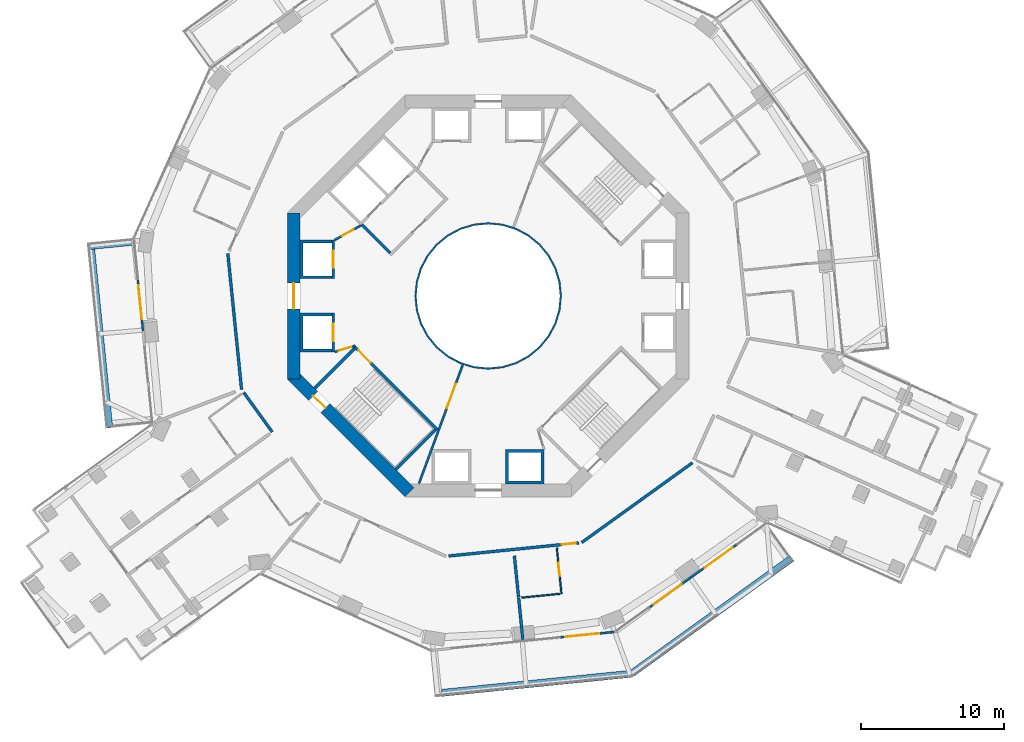
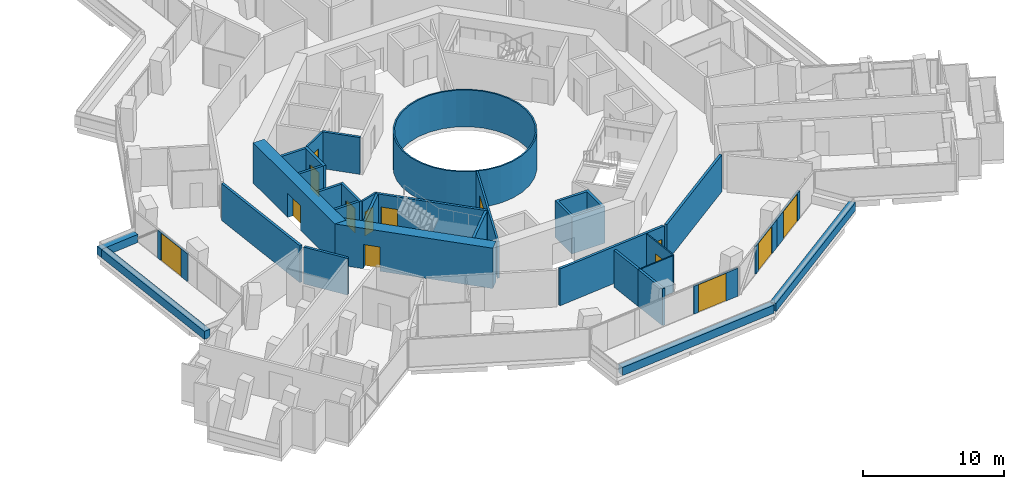
# One storey, part 19 of 26: 31 walls, 14 doors, 14 openings.
"""IFC4 building model written with IfcOpenShell, lengths in metres."""

from ifc_helpers import new_model, si_unit, direction, frame, frame_2d, origin, place, context, subcontext, project, spatial, polyline, rectangle, outline, extrude, material, layer, layer_set, type_object, element, fill, save


model = new_model("IFC4")

# Units and contexts
model_context = context("Model", 3, precision=1e-05, world=origin(), true_north=direction((0.0, 1.0)))
body_context = subcontext(model_context, "Body", "Model", "MODEL_VIEW")
ifc_project = project(units=[si_unit("LENGTHUNIT", "METRE"), si_unit("AREAUNIT", "SQUARE_METRE"), si_unit("VOLUMEUNIT", "CUBIC_METRE"), si_unit("PLANEANGLEUNIT", "RADIAN"), si_unit("MASSUNIT", "GRAM", prefix="KILO")], contexts=[model_context])

# Site, building, storey
site_placement = place(None, origin())
site = spatial("IfcSite", under=ifc_project, at=site_placement, CompositionType="ELEMENT")
building_placement = place(site_placement, origin())
building = spatial("IfcBuilding", under=site, at=building_placement, Name="Verdalira Terraces Hotel", CompositionType="ELEMENT")
storey_placement = place(building_placement, frame((0.0, 0.0, 56.5)))
storey = spatial("IfcBuildingStorey", under=building, at=storey_placement, Name="L12", CompositionType="ELEMENT", Elevation=56.5)

# Walls
ifc_material_1 = material(Name="Fire-resisting glass EI 180", Category="glass")
ifc_layer_1 = layer(ifc_material_1, 0.1201171875)
ifc_layer_set_1 = layer_set([ifc_layer_1], Name="Atrium fire screen 120 mm")
wall_type_1 = type_object("IfcWallType", Name="Atrium fire screen 120 mm", PredefinedType="SOLIDWALL", material=ifc_layer_set_1)
wall_1_placement = place(storey_placement, origin())
element("IfcWall", 1, at=wall_1_placement, inside=storey, type_object=wall_type_1, Name="Atrium fire screen", PredefinedType="SOLIDWALL", context=body_context, shape_type="SweptSolid", body=[
    extrude(outline(polyline([(5.021484, -0.998779), (4.730225, -1.959229), (4.25708, -2.844482), (3.620361, -3.620361), (2.844482, -4.25708), (1.959229, -4.730225), (0.998779, -5.021484), (0.0, -5.120117), (-0.998779, -5.021484), (-1.959229, -4.730225), (-2.844482, -4.25708), (-3.620361, -3.620361), (-4.25708, -2.844482), (-4.730225, -1.959229), (-5.021484, -0.998779), (-5.120117, 0.0), (-5.021484, 0.998779), (-4.730225, 1.959229), (-4.25708, 2.844482), (-3.620361, 3.620361), (-2.844482, 4.25708), (-1.959229, 4.730225), (-0.998779, 5.021484), (0.0, 5.120117), (0.998779, 5.021484), (1.959229, 4.730225), (2.844482, 4.25708), (3.620361, 3.620361), (4.25708, 2.844482), (4.730225, 1.959229), (5.021484, 0.998779), (5.120117, 0.0), (5.021484, -0.998779)]), holes=[polyline([(4.903809, 0.975586), (4.619385, 1.91333), (4.157227, 2.777832), (3.5354, 3.5354), (2.777832, 4.157227), (1.91333, 4.619385), (0.975586, 4.903809), (0.0, 5.0), (-0.975586, 4.903809), (-1.91333, 4.619385), (-2.777832, 4.157227), (-3.5354, 3.5354), (-4.157227, 2.777832), (-4.619385, 1.91333), (-4.903809, 0.975586), (-5.0, 0.0), (-4.903809, -0.975586), (-4.619385, -1.91333), (-4.157227, -2.777832), (-3.5354, -3.5354), (-2.777832, -4.157227), (-1.91333, -4.619385), (-0.975586, -4.903809), (0.0, -5.0), (0.975586, -4.903809), (1.91333, -4.619385), (2.777832, -4.157227), (3.5354, -3.5354), (4.157227, -2.777832), (4.619385, -1.91333), (4.903809, -0.975586), (5.0, 0.0), (4.903809, 0.975586)])]), origin(), (0.0, 0.0, 1.0), 3.189941),
])
ifc_material_2 = material(Name="Concrete C40", Category="concrete")
ifc_layer_2 = layer(ifc_material_2, 0.5)
ifc_layer_set_2 = layer_set([ifc_layer_2], Name="Balcony planter trough with tree")
wall_type_2 = type_object("IfcWallType", Name="Balcony planter trough with tree", PredefinedType="SOLIDWALL", material=ifc_layer_set_2)
wall_2_placement = place(storey_placement, frame((-24.76416, 3.783691, 0.0), z_axis=(0.0, 0.0, 1.0), x_axis=(-0.994951439, -0.100357532, 0.0)))
element("IfcWall", 2, at=wall_2_placement, inside=storey, type_object=wall_type_2, Name="Balcony planter", PredefinedType="SOLIDWALL", context=body_context, shape_type="SweptSolid", body=[
    extrude(rectangle(XDim=3.198975, YDim=0.5, at=frame_2d((1.599609, 0.0))), origin(), (0.0, 0.0, 1.0), 0.699951),
])
wall_3_placement = place(storey_placement, frame((-27.673096, 3.239014, 0.0), z_axis=(0.0, 0.0, 1.0), x_axis=(0.100352624, -0.994951934, 0.0)))
element("IfcWall", 3, at=wall_3_placement, inside=storey, type_object=wall_type_2, Name="Balcony planter", PredefinedType="SOLIDWALL", context=body_context, shape_type="SweptSolid", body=[
    extrude(rectangle(XDim=12.499756, YDim=0.5, at=frame_2d((6.25, 0.0))), origin(), (0.0, 0.0, 1.0), 0.699951),
])
wall_4_placement = place(storey_placement, frame((-3.239014, -27.673096, 0.0), z_axis=(0.0, 0.0, 1.0), x_axis=(0.994950904, 0.100362834, 0.0)))
element("IfcWall", 4, at=wall_4_placement, inside=storey, type_object=wall_type_2, Name="Balcony planter", PredefinedType="SOLIDWALL", context=body_context, shape_type="SweptSolid", body=[
    extrude(rectangle(XDim=13.223389, YDim=0.5, at=frame_2d((6.611816, 0.0))), origin(), (0.0, 0.0, 1.0), 0.699951),
])
wall_5_placement = place(storey_placement, frame((10.038574, -26.300049, 0.0), z_axis=(0.0, 0.0, 1.0), x_axis=(0.811475962, 0.5843858, 0.0)))
element("IfcWall", 5, at=wall_5_placement, inside=storey, type_object=wall_type_2, Name="Balcony planter", PredefinedType="SOLIDWALL", context=body_context, shape_type="SweptSolid", body=[
    extrude(rectangle(XDim=13.723389, YDim=0.5, at=frame_2d((6.861816, 0.0))), origin(), (0.0, 0.0, 1.0), 0.699951),
])
ifc_material_3 = material(Name="Moisture-resistant gypsum board partition")
ifc_layer_3 = layer(ifc_material_3, 0.10009765625)
ifc_layer_set_3 = layer_set([ifc_layer_3], Name="Bathroom partition 100 mm")
wall_type_3 = type_object("IfcWallType", Name="Bathroom partition 100 mm", PredefinedType="PARTITIONING", material=ifc_layer_set_3)
wall_6_placement = place(storey_placement, frame((5.008789, -20.760498, 0.0), z_axis=(0.0, 0.0, 1.0), x_axis=(-0.994949967, -0.100372122, 0.0)))
element("IfcWall", 6, at=wall_6_placement, inside=storey, type_object=wall_type_3, Name="Bathroom partition", PredefinedType="PARTITIONING", context=body_context, shape_type="SweptSolid", body=[
    extrude(rectangle(XDim=2.699951, YDim=0.100098, at=frame_2d((1.350098, 0.0))), origin(), (0.0, 0.0, 1.0), 3.189941),
])

# Wall, opening, door
wall_7_placement = place(storey_placement, frame((5.108398, -20.750488, 0.0), z_axis=(0.0, 0.0, 1.0), x_axis=(-0.100402585, 0.994946894, 0.0)))
wall_7 = element("IfcWall", 7, at=wall_7_placement, inside=storey, type_object=wall_type_3, Name="Bathroom partition", PredefinedType="PARTITIONING", context=body_context, shape_type="SweptSolid", body=[
    extrude(rectangle(XDim=3.199951, YDim=0.100098, at=frame_2d((1.600098, 0.0))), origin(), (0.0, 0.0, 1.0), 3.189941),
])
opening_1_placement = place(wall_7_placement, frame((1.25, 0.0, 0.0)))
opening_1 = element("IfcOpeningElement", 8, at=opening_1_placement, cuts=wall_7, Name="Opening L12-124", PredefinedType="OPENING", context=body_context, shape_type="SweptSolid", body=[
    extrude(rectangle(XDim=0.899902, YDim=2.100098, at=frame_2d((0.449951, 1.050049))), frame((0.0, 0.060059, 0.0), z_axis=(0.0, -1.0, 0.0), x_axis=(1.0, 0.0, 0.0)), (0.0, 0.0, 1.0), 0.120117),
])
ifc_material_4 = material(Name="Timber door", Category="wood")
door_type_1 = type_object("IfcDoorType", Name="Bathroom door 900 x 2100", OperationType="NOTDEFINED", PredefinedType="DOOR", material=ifc_material_4)
door_1_placement = place(opening_1_placement, origin())
door_1 = element("IfcDoor", 9, at=door_1_placement, inside=storey, type_object=door_type_1, Name="Bathroom door 1210", OperationType="SINGLE_SWING_LEFT", OverallHeight=2.10009765625, OverallWidth=0.89990234375, PredefinedType="DOOR", context=body_context, shape_type="SweptSolid", body=[
    extrude(rectangle(XDim=0.899902, YDim=2.100098, at=frame_2d((0.449951, 1.050049))), frame((0.0, 0.024902, 0.0), z_axis=(0.0, -1.0, 0.0), x_axis=(1.0, 0.0, 0.0)), (0.0, 0.0, 1.0), 0.050049),
])
fill(opening_1, door_1)

# Wall
ifc_material_5 = material(Name="Concrete C50", Category="concrete")
ifc_layer_4 = layer(ifc_material_5, 0.199951171875)
ifc_layer_set_4 = layer_set([ifc_layer_4], Name="Core RC wall 200 C50")
wall_type_4 = type_object("IfcWallType", Name="Core RC wall 200 C50", PredefinedType="SOLIDWALL", material=ifc_layer_set_4)
wall_8_placement = place(storey_placement, origin())
element("IfcWall", 10, at=wall_8_placement, inside=storey, type_object=wall_type_4, Name="L12 shaft wall W1", PredefinedType="SOLIDWALL", context=body_context, shape_type="SweptSolid", body=[
    extrude(outline(polyline([(-13.100098, 3.899902), (-10.899902, 3.899902), (-10.899902, 3.699951), (-12.899902, 3.699951), (-12.899902, 1.399902), (-10.899902, 1.399902), (-10.899902, 1.199951), (-13.100098, 1.199951), (-13.100098, 3.899902)])), origin(), (0.0, 0.0, 1.0), 3.189941),
])

# Wall, opening, door
wall_9_placement = place(storey_placement, frame((-10.800049, 1.199951, 0.0), z_axis=(0.0, 0.0, 1.0), x_axis=(0.0, 1.0, 0.0)))
wall_9 = element("IfcWall", 11, at=wall_9_placement, inside=storey, type_object=wall_type_4, Name="L12 shaft front wall W1", PredefinedType="SOLIDWALL", context=body_context, shape_type="SweptSolid", body=[
    extrude(rectangle(XDim=2.699951, YDim=0.199951, at=frame_2d((1.350098, 0.0))), origin(), (0.0, 0.0, 1.0), 3.189941),
])
opening_2_placement = place(wall_9_placement, frame((0.75, 0.0, 0.0)))
opening_2 = element("IfcOpeningElement", 12, at=opening_2_placement, cuts=wall_9, Name="Opening LD-L12-805", PredefinedType="OPENING", context=body_context, shape_type="SweptSolid", body=[
    extrude(rectangle(XDim=1.199951, YDim=2.100098, at=frame_2d((0.600098, 1.050049))), frame((0.0, 0.109863, 0.0), z_axis=(0.0, -1.0, 0.0), x_axis=(1.0, 0.0, 0.0)), (0.0, 0.0, 1.0), 0.219971),
])
ifc_material_6 = material(Name="Stainless steel", Category="steel")
door_type_2 = type_object("IfcDoorType", Name="Landing door 1200 x 2100", OperationType="NOTDEFINED", PredefinedType="DOOR", material=ifc_material_6)
door_2_placement = place(opening_2_placement, origin())
door_2 = element("IfcDoor", 13, at=door_2_placement, inside=storey, type_object=door_type_2, Name="Lift landing door LR5 L12", OperationType="DOUBLE_DOOR_SLIDING", OverallHeight=2.10009765625, OverallWidth=1.199951171875, PredefinedType="DOOR", context=body_context, shape_type="SweptSolid", body=[
    extrude(rectangle(XDim=1.199951, YDim=2.100098, at=frame_2d((0.600098, 1.050049))), frame((0.0, 0.024902, 0.0), z_axis=(0.0, -1.0, 0.0), x_axis=(1.0, 0.0, 0.0)), (0.0, 0.0, 1.0), 0.050049),
])
fill(opening_2, door_2)

# Wall
wall_10_placement = place(storey_placement, origin())
element("IfcWall", 14, at=wall_10_placement, inside=storey, type_object=wall_type_4, Name="L12 shaft wall W2", PredefinedType="SOLIDWALL", context=body_context, shape_type="SweptSolid", body=[
    extrude(outline(polyline([(-13.100098, -3.899902), (-13.100098, -1.199951), (-10.899902, -1.199951), (-10.899902, -1.399902), (-12.899902, -1.399902), (-12.899902, -3.699951), (-10.899902, -3.699951), (-10.899902, -3.899902), (-13.100098, -3.899902)])), origin(), (0.0, 0.0, 1.0), 3.189941),
])

# Wall, opening, door
wall_11_placement = place(storey_placement, frame((-10.800049, -1.199951, 0.0), z_axis=(0.0, 0.0, 1.0), x_axis=(0.0, -1.0, 0.0)))
wall_11 = element("IfcWall", 15, at=wall_11_placement, inside=storey, type_object=wall_type_4, Name="L12 shaft front wall W2", PredefinedType="SOLIDWALL", context=body_context, shape_type="SweptSolid", body=[
    extrude(rectangle(XDim=2.699951, YDim=0.199951, at=frame_2d((1.350098, 0.0))), origin(), (0.0, 0.0, 1.0), 3.189941),
])
opening_3_placement = place(wall_11_placement, frame((0.75, 0.0, 0.0)))
opening_3 = element("IfcOpeningElement", 16, at=opening_3_placement, cuts=wall_11, Name="Opening LD-L12-806", PredefinedType="OPENING", context=body_context, shape_type="SweptSolid", body=[
    extrude(rectangle(XDim=1.199951, YDim=2.100098, at=frame_2d((0.600098, 1.050049))), frame((0.0, 0.109863, 0.0), z_axis=(0.0, -1.0, 0.0), x_axis=(1.0, 0.0, 0.0)), (0.0, 0.0, 1.0), 0.219971),
])
door_3_placement = place(opening_3_placement, origin())
door_3 = element("IfcDoor", 17, at=door_3_placement, inside=storey, type_object=door_type_2, Name="Lift landing door LR6 L12", OperationType="DOUBLE_DOOR_SLIDING", OverallHeight=2.10009765625, OverallWidth=1.199951171875, PredefinedType="DOOR", context=body_context, shape_type="SweptSolid", body=[
    extrude(rectangle(XDim=1.199951, YDim=2.100098, at=frame_2d((0.600098, 1.050049))), frame((0.0, 0.024902, 0.0), z_axis=(0.0, -1.0, 0.0), x_axis=(1.0, 0.0, 0.0)), (0.0, 0.0, 1.0), 0.050049),
])
fill(opening_3, door_3)

# Wall
wall_12_placement = place(storey_placement, origin())
element("IfcWall", 18, at=wall_12_placement, inside=storey, type_object=wall_type_4, Name="L12 shaft wall S2", PredefinedType="SOLIDWALL", context=body_context, shape_type="SweptSolid", body=[
    extrude(outline(polyline([(3.899902, -10.699951), (3.899902, -13.100098), (1.199951, -13.100098), (1.199951, -10.699951), (3.899902, -10.699951)]), holes=[polyline([(1.399902, -12.899902), (3.699951, -12.899902), (3.699951, -10.899902), (1.399902, -10.899902), (1.399902, -12.899902)])]), origin(), (0.0, 0.0, 1.0), 3.189941),
])

# Wall, opening, door
wall_13_placement = place(storey_placement, frame((-3.5354, -9.33374, 0.0), z_axis=(0.0, 0.0, 1.0), x_axis=(-0.707106781, 0.707106781, 0.0)))
wall_13 = element("IfcWall", 19, at=wall_13_placement, inside=storey, type_object=wall_type_4, Name="L12 stair ST2 front wall", PredefinedType="SOLIDWALL", context=body_context, shape_type="SweptSolid", body=[
    extrude(rectangle(XDim=8.200195, YDim=0.199951, at=frame_2d((4.100098, 0.0))), origin(), (0.0, 0.0, 1.0), 3.189941),
])
opening_4_placement = place(wall_13_placement, frame((6.600098, 0.0, 0.0)))
opening_4 = element("IfcOpeningElement", 20, at=opening_4_placement, cuts=wall_13, Name="Opening L12-810", PredefinedType="OPENING", context=body_context, shape_type="SweptSolid", body=[
    extrude(rectangle(XDim=1.199951, YDim=2.100098, at=frame_2d((0.600098, 1.050049))), frame((0.0, 0.109863, 0.0), z_axis=(0.0, -1.0, 0.0), x_axis=(1.0, 0.0, 0.0)), (0.0, 0.0, 1.0), 0.219971),
])
ifc_material_7 = material(Name="Steel fire door", Category="steel")
door_type_3 = type_object("IfcDoorType", Name="Stair door 1200 x 2100", OperationType="NOTDEFINED", PredefinedType="DOOR", material=ifc_material_7)
door_4_placement = place(opening_4_placement, origin())
door_4 = element("IfcDoor", 21, at=door_4_placement, inside=storey, type_object=door_type_3, Name="Stair door ST2 L12", OperationType="SINGLE_SWING_RIGHT", OverallHeight=2.10009765625, OverallWidth=1.199951171875, PredefinedType="DOOR", context=body_context, shape_type="SweptSolid", body=[
    extrude(rectangle(XDim=1.199951, YDim=2.100098, at=frame_2d((0.600098, 1.050049))), frame((0.0, 0.024902, 0.0), z_axis=(0.0, -1.0, 0.0), x_axis=(1.0, 0.0, 0.0)), (0.0, 0.0, 1.0), 0.050049),
])
fill(opening_4, door_4)

# Walls
for number, where, z_axis, x_axis, name in (
    (22, (-9.33374, -3.677002, 0.0), (0.0, 0.0, 1.0), (-0.707106781, -0.707106781, 0.0), "L12 stair ST2 end wall 1"),
    (23, (-3.677002, -9.33374, 0.0), (0.0, 0.0, 1.0), (-0.707106781, -0.707106781, 0.0), "L12 stair ST2 end wall 2"),
):
    element("IfcWall", number, at=place(storey_placement, frame(where, z_axis=z_axis, x_axis=x_axis)), inside=storey, type_object=wall_type_4, Name=name, PredefinedType="SOLIDWALL", context=body_context, shape_type="SweptSolid", body=[
        extrude(rectangle(XDim=3.900146, YDim=0.199951, at=frame_2d((1.950195, 0.0))), origin(), (0.0, 0.0, 1.0), 3.189941),
    ])
wall_14_placement = place(storey_placement, frame((-6.823486, 3.005127, 0.0), z_axis=(0.0, 0.0, 1.0), x_axis=(-0.707106781, 0.707106781, 0.0)))
element("IfcWall", 24, at=wall_14_placement, inside=storey, type_object=wall_type_4, Name="L12 fire lobby wall", PredefinedType="SOLIDWALL", context=body_context, shape_type="SweptSolid", body=[
    extrude(rectangle(XDim=2.800049, YDim=0.199951, at=frame_2d((1.399902, 0.0))), origin(), (0.0, 0.0, 1.0), 3.189941),
])

# Wall, opening, door
ifc_material_8 = material(Name="Gypsum board partition")
ifc_layer_5 = layer(ifc_material_8, 0.14990234375)
ifc_layer_set_5 = layer_set([ifc_layer_5], Name="Core partition 150 mm")
wall_type_5 = type_object("IfcWallType", Name="Core partition 150 mm", PredefinedType="PARTITIONING", material=ifc_layer_set_5)
wall_15_placement = place(storey_placement, frame((-8.874268, 4.914307, 0.0), z_axis=(0.0, 0.0, 1.0), x_axis=(-0.874129705, -0.485692555, 0.0)))
wall_15 = element("IfcWall", 25, at=wall_15_placement, inside=storey, type_object=wall_type_5, Name="Room partition L12", PredefinedType="PARTITIONING", context=body_context, shape_type="SweptSolid", body=[
    extrude(rectangle(XDim=2.088623, YDim=0.149902, at=frame_2d((1.044434, 0.0))), origin(), (0.0, 0.0, 1.0), 3.189941),
])
opening_5_placement = place(wall_15_placement, frame((0.594238, 0.0, 0.0)))
opening_5 = element("IfcOpeningElement", 26, at=opening_5_placement, cuts=wall_15, Name="Opening L12-821", PredefinedType="OPENING", context=body_context, shape_type="SweptSolid", body=[
    extrude(rectangle(XDim=0.899902, YDim=2.100098, at=frame_2d((0.449951, 1.050049))), frame((0.0, 0.084961, 0.0), z_axis=(0.0, -1.0, 0.0), x_axis=(1.0, 0.0, 0.0)), (0.0, 0.0, 1.0), 0.169922),
])
ifc_material_9 = material(Name="Steel fire door", Category="steel")
door_type_4 = type_object("IfcDoorType", Name="Core room door 900 x 2100", OperationType="NOTDEFINED", PredefinedType="DOOR", material=ifc_material_9)
door_5_placement = place(opening_5_placement, origin())
door_5 = element("IfcDoor", 27, at=door_5_placement, inside=storey, type_object=door_type_4, Name="Door L12 room3", OperationType="SINGLE_SWING_LEFT", OverallHeight=2.10009765625, OverallWidth=0.89990234375, PredefinedType="DOOR", context=body_context, shape_type="SweptSolid", body=[
    extrude(rectangle(XDim=0.899902, YDim=2.100098, at=frame_2d((0.449951, 1.050049))), frame((0.0, 0.024902, 0.0), z_axis=(0.0, -1.0, 0.0), x_axis=(1.0, 0.0, 0.0)), (0.0, 0.0, 1.0), 0.050049),
])
fill(opening_5, door_5)

wall_16_placement = place(storey_placement, frame((-10.699951, -3.899902, 0.0), z_axis=(0.0, 0.0, 1.0), x_axis=(0.957084567, 0.289808785, 0.0)))
wall_16 = element("IfcWall", 28, at=wall_16_placement, inside=storey, type_object=wall_type_5, Name="Room partition L12", PredefinedType="PARTITIONING", context=body_context, shape_type="SweptSolid", body=[
    extrude(rectangle(XDim=1.501221, YDim=0.149902, at=frame_2d((0.750488, 0.0))), origin(), (0.0, 0.0, 1.0), 3.189941),
])
opening_6_placement = place(wall_16_placement, frame((0.300781, 0.0, 0.0)))
opening_6 = element("IfcOpeningElement", 29, at=opening_6_placement, cuts=wall_16, Name="Opening L12-822", PredefinedType="OPENING", context=body_context, shape_type="SweptSolid", body=[
    extrude(rectangle(XDim=0.899902, YDim=2.100098, at=frame_2d((0.449951, 1.050049))), frame((0.0, 0.084961, 0.0), z_axis=(0.0, -1.0, 0.0), x_axis=(1.0, 0.0, 0.0)), (0.0, 0.0, 1.0), 0.169922),
])
door_6_placement = place(opening_6_placement, origin())
door_6 = element("IfcDoor", 30, at=door_6_placement, inside=storey, type_object=door_type_4, Name="Door L12 room4", OperationType="SINGLE_SWING_LEFT", OverallHeight=2.10009765625, OverallWidth=0.89990234375, PredefinedType="DOOR", context=body_context, shape_type="SweptSolid", body=[
    extrude(rectangle(XDim=0.899902, YDim=2.100098, at=frame_2d((0.449951, 1.050049))), frame((0.0, 0.024902, 0.0), z_axis=(0.0, -1.0, 0.0), x_axis=(1.0, 0.0, 0.0)), (0.0, 0.0, 1.0), 0.050049),
])
fill(opening_6, door_6)

wall_17_placement = place(storey_placement, frame((-1.775635, -4.812988, 0.0), z_axis=(0.0, 0.0, 1.0), x_axis=(-0.346112737, -0.93819293, 0.0)))
wall_17 = element("IfcWall", 31, at=wall_17_placement, inside=storey, type_object=wall_type_5, Name="Gallery fire partition L12", PredefinedType="PARTITIONING", context=body_context, shape_type="SweptSolid", body=[
    extrude(rectangle(XDim=8.803223, YDim=0.149902, at=frame_2d((4.401611, 0.0))), origin(), (0.0, 0.0, 1.0), 3.189941),
])
opening_7_placement = place(wall_17_placement, frame((1.399902, 0.0, 0.0)))
opening_7 = element("IfcOpeningElement", 32, at=opening_7_placement, cuts=wall_17, Name="Opening L12-825", PredefinedType="OPENING", context=body_context, shape_type="SweptSolid", body=[
    extrude(rectangle(XDim=1.800049, YDim=2.100098, at=frame_2d((0.899902, 1.050049))), frame((0.0, 0.084961, 0.0), z_axis=(0.0, -1.0, 0.0), x_axis=(1.0, 0.0, 0.0)), (0.0, 0.0, 1.0), 0.169922),
])
ifc_material_10 = material(Name="Steel fire door", Category="steel")
door_type_5 = type_object("IfcDoorType", Name="Gallery fire door pair 1800 x 2100", OperationType="NOTDEFINED", PredefinedType="DOOR", material=ifc_material_10)
door_7_placement = place(opening_7_placement, origin())
door_7 = element("IfcDoor", 33, at=door_7_placement, inside=storey, type_object=door_type_5, Name="Door L12 split5", OperationType="DOUBLE_DOOR_SINGLE_SWING", OverallHeight=2.10009765625, OverallWidth=1.800048828125, PredefinedType="DOOR", context=body_context, shape_type="SweptSolid", body=[
    extrude(rectangle(XDim=1.800049, YDim=2.100098, at=frame_2d((0.899902, 1.050049))), frame((0.0, 0.024902, 0.0), z_axis=(0.0, -1.0, 0.0), x_axis=(1.0, 0.0, 0.0)), (0.0, 0.0, 1.0), 0.050049),
])
fill(opening_7, door_7)

ifc_material_11 = material(Name="Concrete C70", Category="concrete")
ifc_layer_6 = layer(ifc_material_11, 0.89990234375)
ifc_layer_set_6 = layer_set([ifc_layer_6], Name="Core wall 900 C70")
wall_type_6 = type_object("IfcWallType", Name="Core wall 900 C70", PredefinedType="SHEAR", material=ifc_layer_set_6)
wall_18_placement = place(storey_placement, frame((-13.550049, 5.799072, 0.0), z_axis=(0.0, 0.0, 1.0), x_axis=(0.0, -1.0, 0.0)))
wall_18 = element("IfcWall", 34, at=wall_18_placement, inside=storey, type_object=wall_type_6, Name="Core wall CW-L12-5", PredefinedType="SHEAR", context=body_context, shape_type="SweptSolid", body=[
    extrude(rectangle(XDim=11.598145, YDim=0.899902, at=frame_2d((5.799072, 0.0))), origin(), (0.0, 0.0, 1.0), 3.5),
])
opening_8_placement = place(wall_18_placement, frame((4.898926, 0.0, 0.0)))
opening_8 = element("IfcOpeningElement", 35, at=opening_8_placement, cuts=wall_18, Name="Opening L12-814", PredefinedType="OPENING", context=body_context, shape_type="SweptSolid", body=[
    extrude(rectangle(XDim=1.800049, YDim=2.100098, at=frame_2d((0.899902, 1.050049))), frame((0.0, 0.459961, 0.0), z_axis=(0.0, -1.0, 0.0), x_axis=(1.0, 0.0, 0.0)), (0.0, 0.0, 1.0), 0.919922),
])
ifc_material_12 = material(Name="Steel fire door", Category="steel")
door_type_6 = type_object("IfcDoorType", Name="Core entry door pair 1800 x 2100", OperationType="NOTDEFINED", PredefinedType="DOOR", material=ifc_material_12)
door_8_placement = place(opening_8_placement, origin())
door_8 = element("IfcDoor", 36, at=door_8_placement, inside=storey, type_object=door_type_6, Name="Core entry door L12 4", OperationType="DOUBLE_DOOR_SINGLE_SWING", OverallHeight=2.10009765625, OverallWidth=1.800048828125, PredefinedType="DOOR", context=body_context, shape_type="SweptSolid", body=[
    extrude(rectangle(XDim=1.800049, YDim=2.100098, at=frame_2d((0.899902, 1.050049))), frame((0.0, 0.024902, 0.0), z_axis=(0.0, -1.0, 0.0), x_axis=(1.0, 0.0, 0.0)), (0.0, 0.0, 1.0), 0.050049),
])
fill(opening_8, door_8)

wall_19_placement = place(storey_placement, frame((-13.681885, -5.480713, 0.0), z_axis=(0.0, 0.0, 1.0), x_axis=(0.707106781, -0.707106781, 0.0)))
wall_19 = element("IfcWall", 37, at=wall_19_placement, inside=storey, type_object=wall_type_6, Name="Core wall CW-L12-6", PredefinedType="SHEAR", context=body_context, shape_type="SweptSolid", body=[
    extrude(rectangle(XDim=11.598145, YDim=0.899902, at=frame_2d((5.799072, 0.0))), origin(), (0.0, 0.0, 1.0), 3.5),
])
opening_9_placement = place(wall_19_placement, frame((2.099121, 0.0, 0.0)))
opening_9 = element("IfcOpeningElement", 38, at=opening_9_placement, cuts=wall_19, Name="Opening L12-817", PredefinedType="OPENING", context=body_context, shape_type="SweptSolid", body=[
    extrude(rectangle(XDim=1.199951, YDim=2.100098, at=frame_2d((0.600098, 1.050049))), frame((0.0, 0.459961, 0.0), z_axis=(0.0, -1.0, 0.0), x_axis=(1.0, 0.0, 0.0)), (0.0, 0.0, 1.0), 0.919922),
])
door_9_placement = place(opening_9_placement, origin())
door_9 = element("IfcDoor", 39, at=door_9_placement, inside=storey, type_object=door_type_3, Name="Stair exit door ST2 L12", OperationType="SINGLE_SWING_LEFT", OverallHeight=2.10009765625, OverallWidth=1.199951171875, PredefinedType="DOOR", context=body_context, shape_type="SweptSolid", body=[
    extrude(rectangle(XDim=1.199951, YDim=2.100098, at=frame_2d((0.600098, 1.050049))), frame((0.0, 0.024902, 0.0), z_axis=(0.0, -1.0, 0.0), x_axis=(1.0, 0.0, 0.0)), (0.0, 0.0, 1.0), 0.050049),
])
fill(opening_9, door_9)

# Walls
ifc_material_13 = material(Name="Fire-rated gypsum board wall")
ifc_layer_7 = layer(ifc_material_13, 0.199951171875)
ifc_layer_set_7 = layer_set([ifc_layer_7], Name="Demising wall 200 mm")
wall_type_7 = type_object("IfcWallType", Name="Demising wall 200 mm", PredefinedType="SOLIDWALL", material=ifc_layer_set_7)
wall_20_placement = place(storey_placement, frame((1.827148, -18.11377, 0.0), z_axis=(0.0, 0.0, 1.0), x_axis=(0.10036087, -0.994951102, 0.0)))
element("IfcWall", 40, at=wall_20_placement, inside=storey, type_object=wall_type_7, Name="Demising wall", PredefinedType="SOLIDWALL", context=body_context, shape_type="SweptSolid", body=[
    extrude(rectangle(XDim=2.904541, YDim=0.199951, at=frame_2d((1.452148, 0.0))), origin(), (0.0, 0.0, 1.0), 3.189941),
])
wall_21_placement = place(storey_placement, frame((2.123291, -21.049561, 0.0), z_axis=(0.0, 0.0, 1.0), x_axis=(0.100322558, -0.994954966, 0.0)))
element("IfcWall", 41, at=wall_21_placement, inside=storey, type_object=wall_type_7, Name="Demising wall", PredefinedType="SOLIDWALL", context=body_context, shape_type="SweptSolid", body=[
    extrude(rectangle(XDim=2.951904, YDim=0.199951, at=frame_2d((1.476074, 0.0))), origin(), (0.0, 0.0, 1.0), 3.189941),
])
ifc_material_14 = material(Name="Fire-rated gypsum board wall")
ifc_layer_8 = layer(ifc_material_14, 0.199951171875)
ifc_layer_set_8 = layer_set([ifc_layer_8], Name="Guest corridor wall 200 mm")
wall_type_8 = type_object("IfcWallType", Name="Guest corridor wall 200 mm", PredefinedType="SOLIDWALL", material=ifc_layer_set_8)
wall_22_placement = place(storey_placement, frame((-18.14624, 2.951416, 0.0), z_axis=(0.0, 0.0, 1.0), x_axis=(0.100364796, -0.994950706, 0.0)))
element("IfcWall", 42, at=wall_22_placement, inside=storey, type_object=wall_type_8, Name="Guest corridor wall", PredefinedType="SOLIDWALL", context=body_context, shape_type="SweptSolid", body=[
    extrude(rectangle(XDim=9.516113, YDim=0.199951, at=frame_2d((4.758057, 0.0))), origin(), (0.0, 0.0, 1.0), 3.189941),
])
wall_23_placement = place(storey_placement, frame((-17.040039, -6.726318, 0.0), z_axis=(0.0, 0.0, 1.0), x_axis=(0.58439931, -0.811466233, 0.0)))
element("IfcWall", 43, at=wall_23_placement, inside=storey, type_object=wall_type_8, Name="Guest corridor wall", PredefinedType="SOLIDWALL", context=body_context, shape_type="SweptSolid", body=[
    extrude(rectangle(XDim=3.399658, YDim=0.199951, at=frame_2d((1.699707, 0.0))), origin(), (0.0, 0.0, 1.0), 3.189941),
])

# Wall, opening, door
wall_24_placement = place(storey_placement, frame((6.316895, -17.211182, 0.0), z_axis=(0.0, 0.0, 1.0), x_axis=(-0.99494876, -0.100384084, 0.0)))
wall_24 = element("IfcWall", 44, at=wall_24_placement, inside=storey, type_object=wall_type_8, Name="Guest corridor wall", PredefinedType="SOLIDWALL", context=body_context, shape_type="SweptSolid", body=[
    extrude(rectangle(XDim=9.115479, YDim=0.199951, at=frame_2d((4.557617, 0.0))), origin(), (0.0, 0.0, 1.0), 3.189941),
])
opening_10_placement = place(wall_24_placement, frame((0.199951, 0.0, 0.0)))
opening_10 = element("IfcOpeningElement", 45, at=opening_10_placement, cuts=wall_24, Name="Opening L12-123", PredefinedType="OPENING", context=body_context, shape_type="SweptSolid", body=[
    extrude(rectangle(XDim=1.0, YDim=2.100098, at=frame_2d((0.5, 1.050049))), frame((0.0, 0.109863, 0.0), z_axis=(0.0, -1.0, 0.0), x_axis=(1.0, 0.0, 0.0)), (0.0, 0.0, 1.0), 0.219971),
])
ifc_material_15 = material(Name="Timber fire door", Category="wood")
door_type_7 = type_object("IfcDoorType", Name="Guest entry door 1000 x 2100", OperationType="NOTDEFINED", PredefinedType="DOOR", material=ifc_material_15)
door_10_placement = place(opening_10_placement, origin())
door_10 = element("IfcDoor", 46, at=door_10_placement, inside=storey, type_object=door_type_7, Name="Guest entry door 1210", OperationType="SINGLE_SWING_LEFT", OverallHeight=2.10009765625, OverallWidth=1.0, PredefinedType="DOOR", context=body_context, shape_type="SweptSolid", body=[
    extrude(rectangle(XDim=1.0, YDim=2.100098, at=frame_2d((0.5, 1.050049))), frame((0.0, 0.024902, 0.0), z_axis=(0.0, -1.0, 0.0), x_axis=(1.0, 0.0, 0.0)), (0.0, 0.0, 1.0), 0.050049),
])
fill(opening_10, door_10)

# Wall
wall_25_placement = place(storey_placement, frame((6.51709, -17.190918, 0.0), z_axis=(0.0, 0.0, 1.0), x_axis=(0.811459882, 0.584408127, 0.0)))
element("IfcWall", 47, at=wall_25_placement, inside=storey, type_object=wall_type_8, Name="Guest corridor wall", PredefinedType="SOLIDWALL", context=body_context, shape_type="SweptSolid", body=[
    extrude(rectangle(XDim=9.516113, YDim=0.199951, at=frame_2d((4.758057, 0.0))), origin(), (0.0, 0.0, 1.0), 3.189941),
])

# Wall, opening, door
ifc_material_16 = material(Name="Terracotta cladding", Category="masonry")
ifc_layer_9 = layer(ifc_material_16, 0.14990234375)
ifc_layer_set_9 = layer_set([ifc_layer_9], Name="Terracotta door pier 150")
wall_type_9 = type_object("IfcWallType", Name="Terracotta door pier 150", PredefinedType="SOLIDWALL", material=ifc_layer_set_9)
wall_26_placement = place(storey_placement, frame((-24.422607, 1.154785, 0.0), z_axis=(0.0, 0.0, 1.0), x_axis=(0.100369865, -0.994950195, 0.0)))
wall_26 = element("IfcWall", 48, at=wall_26_placement, inside=storey, type_object=wall_type_9, Name="Terracotta door pier", PredefinedType="SOLIDWALL", context=body_context, shape_type="SweptSolid", body=[
    extrude(rectangle(XDim=3.599854, YDim=0.149902, at=frame_2d((1.799805, 0.0))), origin(), (0.0, 0.0, 1.0), 2.425049),
])
opening_11_placement = place(wall_26_placement, frame((0.399902, 0.0, 0.0)))
opening_11 = element("IfcOpeningElement", 49, at=opening_11_placement, cuts=wall_26, Name="Opening L12-B09", PredefinedType="OPENING", context=body_context, shape_type="SweptSolid", body=[
    extrude(rectangle(XDim=2.399902, YDim=2.399902, at=frame_2d((1.199951, 1.199951))), frame((0.0, 0.084961, 0.0), z_axis=(0.0, -1.0, 0.0), x_axis=(1.0, 0.0, 0.0)), (0.0, 0.0, 1.0), 0.169922),
])
ifc_material_17 = material(Name="Clear glass", Category="glass")
door_type_8 = type_object("IfcDoorType", Name="Balcony sliding door 2400x2400", OperationType="NOTDEFINED", PredefinedType="DOOR", material=ifc_material_17)
door_11_placement = place(opening_11_placement, origin())
door_11 = element("IfcDoor", 50, at=door_11_placement, inside=storey, type_object=door_type_8, Name="Balcony sliding door", OperationType="SLIDING_TO_RIGHT", OverallHeight=2.39990234375, OverallWidth=2.39990234375, PredefinedType="DOOR", context=body_context, shape_type="SweptSolid", body=[
    extrude(rectangle(XDim=2.399902, YDim=2.399902, at=frame_2d((1.199951, 1.199951))), frame((0.0, 0.024902, 0.0), z_axis=(0.0, -1.0, 0.0), x_axis=(1.0, 0.0, 0.0)), (0.0, 0.0, 1.0), 0.050049),
])
fill(opening_11, door_11)

wall_27_placement = place(storey_placement, frame((4.972412, -23.804443, 0.0), z_axis=(0.0, 0.0, 1.0), x_axis=(0.994952518, 0.100346834, 0.0)))
wall_27 = element("IfcWall", 51, at=wall_27_placement, inside=storey, type_object=wall_type_9, Name="Terracotta door pier", PredefinedType="SOLIDWALL", context=body_context, shape_type="SweptSolid", body=[
    extrude(rectangle(XDim=3.841553, YDim=0.149902, at=frame_2d((1.920898, 0.0))), origin(), (0.0, 0.0, 1.0), 2.425049),
])
opening_12_placement = place(wall_27_placement, frame((0.399902, 0.0, 0.0)))
opening_12 = element("IfcOpeningElement", 52, at=opening_12_placement, cuts=wall_27, Name="Opening L12-B12", PredefinedType="OPENING", context=body_context, shape_type="SweptSolid", body=[
    extrude(rectangle(XDim=2.399902, YDim=2.399902, at=frame_2d((1.199951, 1.199951))), frame((0.0, 0.084961, 0.0), z_axis=(0.0, -1.0, 0.0), x_axis=(1.0, 0.0, 0.0)), (0.0, 0.0, 1.0), 0.169922),
])
door_12_placement = place(opening_12_placement, origin())
door_12 = element("IfcDoor", 53, at=door_12_placement, inside=storey, type_object=door_type_8, Name="Balcony sliding door", OperationType="SLIDING_TO_RIGHT", OverallHeight=2.39990234375, OverallWidth=2.39990234375, PredefinedType="DOOR", context=body_context, shape_type="SweptSolid", body=[
    extrude(rectangle(XDim=2.399902, YDim=2.399902, at=frame_2d((1.199951, 1.199951))), frame((0.0, 0.024902, 0.0), z_axis=(0.0, -1.0, 0.0), x_axis=(1.0, 0.0, 0.0)), (0.0, 0.0, 1.0), 0.050049),
])
fill(opening_12, door_12)

wall_28_placement = place(storey_placement, frame((11.211182, -21.727783, 0.0), z_axis=(0.0, 0.0, 1.0), x_axis=(0.811486746, 0.584370825, 0.0)))
wall_28 = element("IfcWall", 54, at=wall_28_placement, inside=storey, type_object=wall_type_9, Name="Terracotta door pier", PredefinedType="SOLIDWALL", context=body_context, shape_type="SweptSolid", body=[
    extrude(rectangle(XDim=3.600098, YDim=0.149902, at=frame_2d((1.800049, 0.0))), origin(), (0.0, 0.0, 1.0), 2.425049),
])
opening_13_placement = place(wall_28_placement, frame((0.399902, 0.0, 0.0)))
opening_13 = element("IfcOpeningElement", 55, at=opening_13_placement, cuts=wall_28, Name="Opening L12-B13", PredefinedType="OPENING", context=body_context, shape_type="SweptSolid", body=[
    extrude(rectangle(XDim=2.399902, YDim=2.399902, at=frame_2d((1.199951, 1.199951))), frame((0.0, 0.084961, 0.0), z_axis=(0.0, -1.0, 0.0), x_axis=(1.0, 0.0, 0.0)), (0.0, 0.0, 1.0), 0.169922),
])
door_13_placement = place(opening_13_placement, origin())
door_13 = element("IfcDoor", 56, at=door_13_placement, inside=storey, type_object=door_type_8, Name="Balcony sliding door", OperationType="SLIDING_TO_RIGHT", OverallHeight=2.39990234375, OverallWidth=2.39990234375, PredefinedType="DOOR", context=body_context, shape_type="SweptSolid", body=[
    extrude(rectangle(XDim=2.399902, YDim=2.399902, at=frame_2d((1.199951, 1.199951))), frame((0.0, 0.024902, 0.0), z_axis=(0.0, -1.0, 0.0), x_axis=(1.0, 0.0, 0.0)), (0.0, 0.0, 1.0), 0.050049),
])
fill(opening_13, door_13)

wall_29_placement = place(storey_placement, frame((14.132568, -19.624023, 0.0), z_axis=(0.0, 0.0, 1.0), x_axis=(0.811478215, 0.584382671, 0.0)))
wall_29 = element("IfcWall", 57, at=wall_29_placement, inside=storey, type_object=wall_type_9, Name="Terracotta door pier", PredefinedType="SOLIDWALL", context=body_context, shape_type="SweptSolid", body=[
    extrude(rectangle(XDim=3.960449, YDim=0.149902, at=frame_2d((1.980225, 0.0))), origin(), (0.0, 0.0, 1.0), 2.425049),
])
opening_14_placement = place(wall_29_placement, frame((1.1604, 0.0, 0.0)))
opening_14 = element("IfcOpeningElement", 58, at=opening_14_placement, cuts=wall_29, Name="Opening L12-B14", PredefinedType="OPENING", context=body_context, shape_type="SweptSolid", body=[
    extrude(rectangle(XDim=2.399902, YDim=2.399902, at=frame_2d((1.199951, 1.199951))), frame((0.0, 0.084961, 0.0), z_axis=(0.0, -1.0, 0.0), x_axis=(1.0, 0.0, 0.0)), (0.0, 0.0, 1.0), 0.169922),
])
door_14_placement = place(opening_14_placement, origin())
door_14 = element("IfcDoor", 59, at=door_14_placement, inside=storey, type_object=door_type_8, Name="Balcony sliding door", OperationType="SLIDING_TO_LEFT", OverallHeight=2.39990234375, OverallWidth=2.39990234375, PredefinedType="DOOR", context=body_context, shape_type="SweptSolid", body=[
    extrude(rectangle(XDim=2.399902, YDim=2.399902, at=frame_2d((1.199951, 1.199951))), frame((0.0, 0.024902, 0.0), z_axis=(0.0, -1.0, 0.0), x_axis=(1.0, 0.0, 0.0)), (0.0, 0.0, 1.0), 0.050049),
])
fill(opening_14, door_14)

save(model, "model.ifc")
